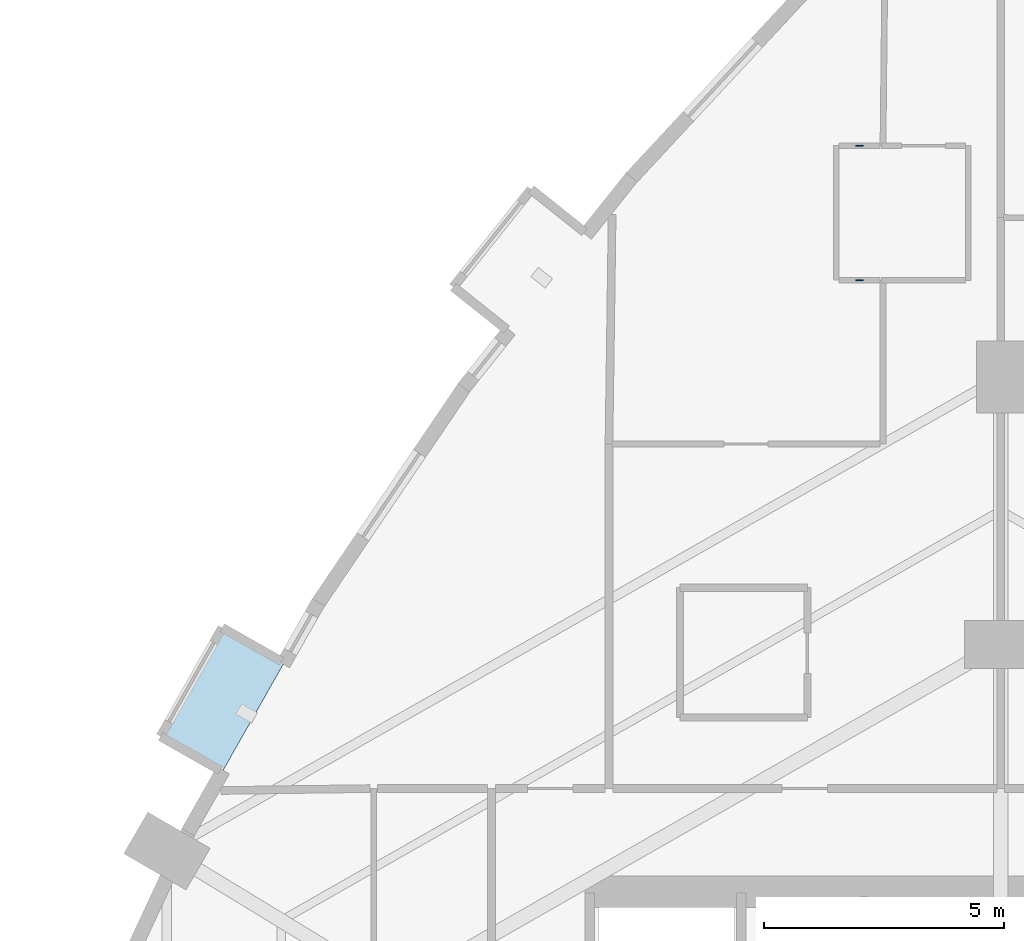
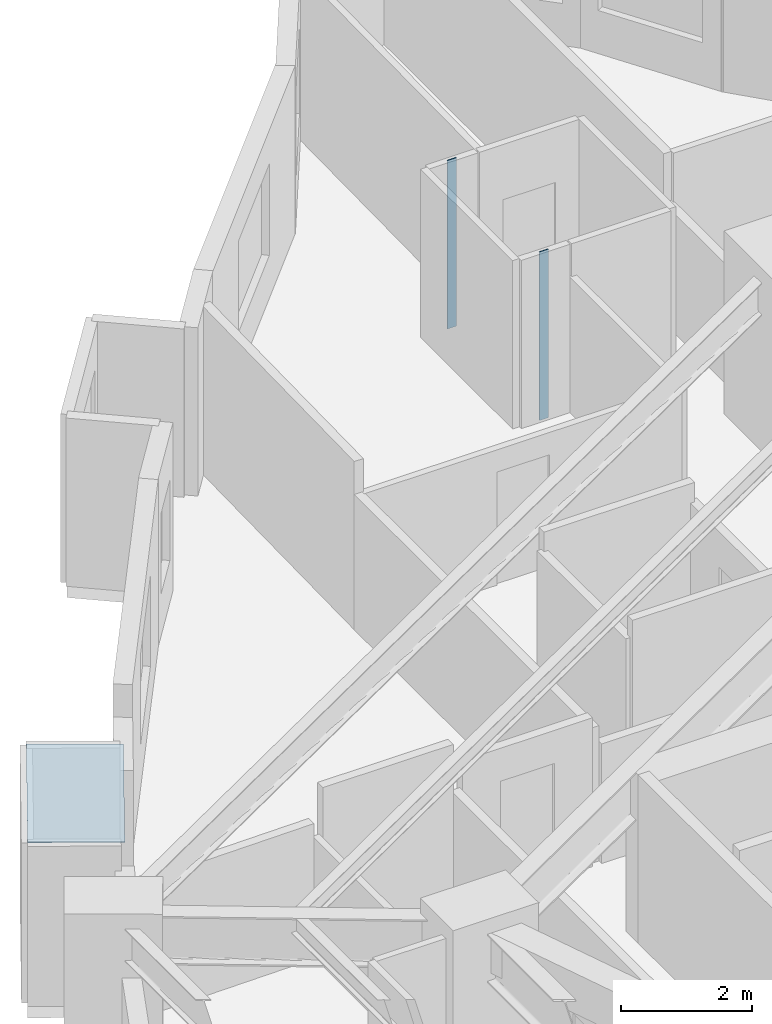
# One storey, part 7 of 15: 3 plates.
"""IFC4 building model written with IfcOpenShell, lengths in metres."""

from ifc_helpers import new_model, si_unit, direction, frame, origin, origin_2d, place, context, subcontext, project, spatial, polyline, rectangle, outline, extrude, material, layer, layer_set, type_object, element, save


model = new_model("IFC4")

# Units and contexts
model_context = context("Model", 3, precision=1e-05, world=origin(), true_north=direction((0.0, 1.0)))
body_context = subcontext(model_context, "Body", "Model", "MODEL_VIEW")
ifc_project = project(units=[si_unit("LENGTHUNIT", "METRE"), si_unit("AREAUNIT", "SQUARE_METRE"), si_unit("VOLUMEUNIT", "CUBIC_METRE"), si_unit("PLANEANGLEUNIT", "RADIAN"), si_unit("MASSUNIT", "GRAM", prefix="KILO")], contexts=[model_context])

# Site, building, storey
site_placement = place(None, origin())
site = spatial("IfcSite", under=ifc_project, at=site_placement, CompositionType="ELEMENT")
building_placement = place(site_placement, origin())
building = spatial("IfcBuilding", under=site, at=building_placement, Name="Miruveldt Soraemaru", CompositionType="ELEMENT")
storey_placement = place(building_placement, frame((0.0, 0.0, 36.0)))
storey = spatial("IfcBuildingStorey", under=building, at=storey_placement, Name="L09", CompositionType="ELEMENT", Elevation=36.0)

# Plates
ifc_material_1 = material(Name="Anodised aluminium EN AW-6063 T6", Category="aluminium")
ifc_layer_1 = layer(ifc_material_1, 0.02001953125, Name="Anodised aluminium EN AW-6063 T6", Category="aluminium")
ifc_layer_set_1 = layer_set([ifc_layer_1], Name="Anodised aluminium EN AW-6063 T6")
plate_type_1 = type_object("IfcPlateType", Name="PLT-PART-TRIM", PredefinedType="SHEET", material=ifc_layer_set_1)
for number, where, z_axis, x_axis, name in (
    (1, (41.06298828125, 67.97998046875, 0.0), (0.0, 0.0, 1.0), (-1.0, 0.0, 0.0), "L09 Partition Step Corner Trim Plate 028"),
    (2, (41.06298828125, 65.179931640625, 0.0), (0.0, 0.0, 1.0), (1.0, 0.0, 0.0), "L09 Partition Step Corner Trim Plate 030"),
):
    element("IfcPlate", number, at=place(storey_placement, frame(where, z_axis=z_axis, x_axis=x_axis)), inside=storey, type_object=plate_type_1, Name=name, PredefinedType="SHEET", context=body_context, shape_type="SweptSolid", body=[
        extrude(rectangle(XDim=0.159912109375, YDim=0.02001953125, at=origin_2d()), origin(), (0.0, 0.0, 1.0), 3.125),
    ])
ifc_material_2 = material(Name="Standing-seam titanium-zinc sheet", Category="aluminium")
ifc_layer_2 = layer(ifc_material_2, 0.011962890625, Name="Standing-seam titanium-zinc sheet", Category="aluminium")
ifc_layer_set_2 = layer_set([ifc_layer_2], Name="Standing-seam titanium-zinc sheet")
plate_type_2 = type_object("IfcPlateType", Name="PLT-ZINC-12", PredefinedType="SHEET", material=ifc_layer_set_2)
plate_placement = place(storey_placement, frame((0.0, 0.0, 2.97509765625)))
element("IfcPlate", 3, at=plate_placement, inside=storey, type_object=plate_type_2, Name="L09 Bay Window Zinc Hood Sheet 2", PredefinedType="SHEET", context=body_context, shape_type="SweptSolid", body=[
    extrude(outline(polyline([(29.08251953125, 57.21484375), (27.7998046875, 54.953125), (26.51220703125, 55.683349609375), (27.795166015625, 57.945068359375), (29.08251953125, 57.21484375)])), origin(), (0.0, 0.0, 1.0), 0.011962890625),
])

save(model, "model.ifc")
